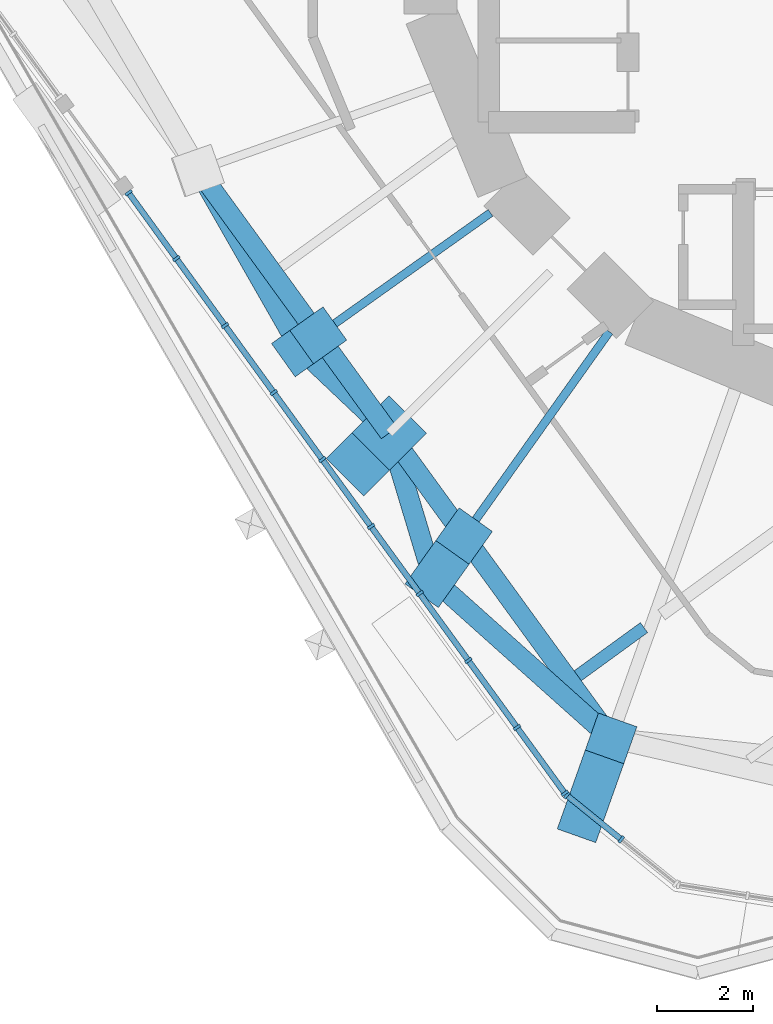
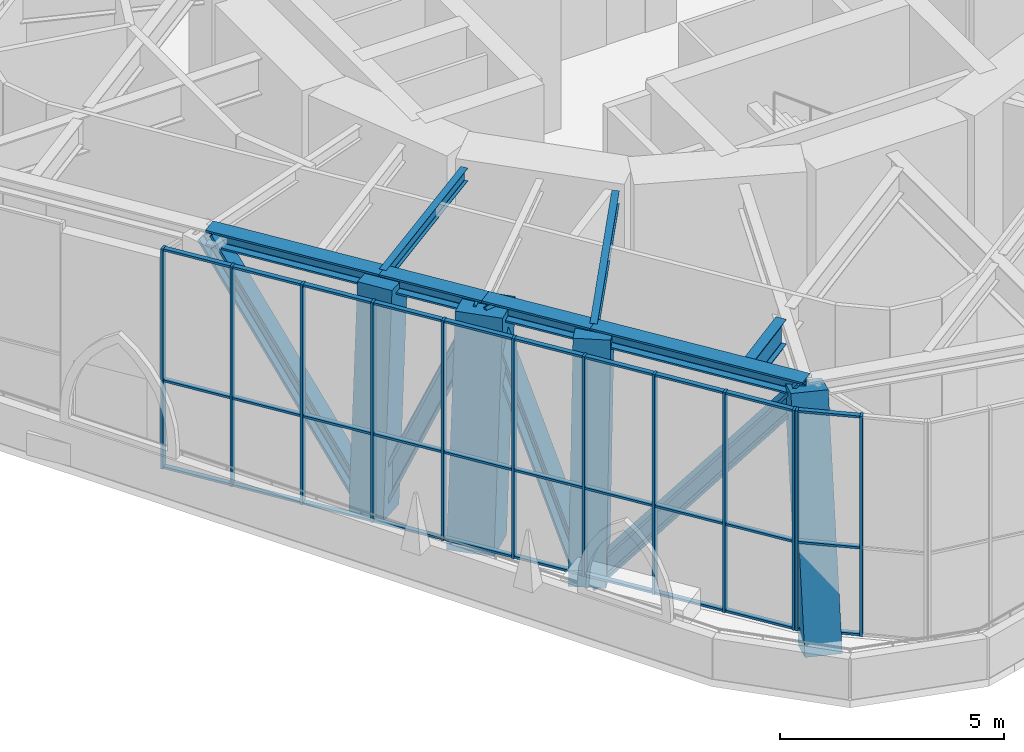
# One storey, part 1 of 18: 54 members, 3 beams, 2 elements without a shape of their own.
"""IFC4 building model written with IfcOpenShell, lengths in metres."""

from ifc_helpers import new_model, si_unit, direction, frame, origin, origin_2d, place, context, subcontext, project, spatial, rectangle, i_section, extrude, material, material_profile, profile_set, type_object, element, aggregate, save


model = new_model("IFC4")

# Units and contexts
model_context = context("Model", 3, precision=1e-05, world=origin(), true_north=direction((0.0, 1.0)))
body_context = subcontext(model_context, "Body", "Model", "MODEL_VIEW")
ifc_project = project(units=[si_unit("LENGTHUNIT", "METRE"), si_unit("AREAUNIT", "SQUARE_METRE"), si_unit("VOLUMEUNIT", "CUBIC_METRE"), si_unit("PLANEANGLEUNIT", "RADIAN"), si_unit("MASSUNIT", "GRAM", prefix="KILO")], contexts=[model_context])

# Site, building, storey
site_placement = place(None, origin())
site = spatial("IfcSite", under=ifc_project, at=site_placement, CompositionType="ELEMENT")
building_placement = place(site_placement, origin())
building = spatial("IfcBuilding", under=site, at=building_placement, Name="Nakasero Lantern House", CompositionType="ELEMENT")
storey_placement = place(building_placement, frame((0.0, 0.0, 257.75)))
storey = spatial("IfcBuildingStorey", under=building, at=storey_placement, Name="L63", CompositionType="ELEMENT", Elevation=257.75)

# Members
ifc_material_1 = material(Name="Steel S355", Category="steel")
ifc_material_profile_1 = material_profile(ifc_material_1, i_section(OverallWidth=0.406982421875, OverallDepth=0.4189453125, WebThickness=0.030517578125, FlangeThickness=0.04931640625, FilletRadius=0.01513671875, at=origin_2d()), Name="UC 356x406x393")
ifc_profile_set_1 = profile_set([ifc_material_profile_1], Name="Steel S355")
member_type_1 = type_object("IfcMemberType", Name="Belt truss chord UC 356x406x393", PredefinedType="CHORD", material=ifc_profile_set_1)
member_1_placement = place(storey_placement, frame((-14.636474609375, -5.2041015625, 5.590576171875), z_axis=(0.587791706687, -0.809012304944, 0.0), x_axis=(0.809012304944, 0.587791706687, 0.0)))
element("IfcMember", 1, at=member_1_placement, inside=storey, type_object=member_type_1, Name="Belt truss top chord T6 B7-C16T", PredefinedType="CHORD", context=body_context, shape_type="SweptSolid", body=[
    extrude(i_section(OverallWidth=0.406982421875, OverallDepth=0.4189453125, WebThickness=0.030517578125, FlangeThickness=0.04931640625, FilletRadius=0.01513671875, at=origin_2d()), origin(), (0.0, 0.0, 1.0), 4.2412109375),
])
member_2_placement = place(storey_placement, frame((-12.1435546875, -8.63525390625, 5.590576171875), z_axis=(0.58778439593, -0.809017616558, 0.0), x_axis=(0.809017616558, 0.58778439593, 0.0)))
element("IfcMember", 2, at=member_2_placement, inside=storey, type_object=member_type_1, Name="Belt truss top chord T6 B7-C17T", PredefinedType="CHORD", context=body_context, shape_type="SweptSolid", body=[
    extrude(i_section(OverallWidth=0.406982421875, OverallDepth=0.4189453125, WebThickness=0.030517578125, FlangeThickness=0.04931640625, FilletRadius=0.01513671875, at=origin_2d()), origin(), (0.0, 0.0, 1.0), 2.51171875),
])
member_3_placement = place(storey_placement, frame((-10.667236328125, -10.667236328125, 5.590576171875), z_axis=(0.587782635143, -0.809018895839, 0.0), x_axis=(0.809018895839, 0.587782635143, 0.0)))
element("IfcMember", 3, at=member_3_placement, inside=storey, type_object=member_type_1, Name="Belt truss top chord T6 B7-C18T", PredefinedType="CHORD", context=body_context, shape_type="SweptSolid", body=[
    extrude(i_section(OverallWidth=0.406982421875, OverallDepth=0.4189453125, WebThickness=0.030517578125, FlangeThickness=0.04931640625, FilletRadius=0.01513671875, at=origin_2d()), origin(), (0.0, 0.0, 1.0), 2.649658203125),
])
member_4_placement = place(storey_placement, frame((-9.10986328125, -12.810791015625, 5.590576171875), z_axis=(0.587806144414, -0.809001814948, 0.0), x_axis=(0.809001814948, 0.587806144414, 0.0)))
element("IfcMember", 4, at=member_4_placement, inside=storey, type_object=member_type_1, Name="Belt truss top chord T6 B7-C19T", PredefinedType="CHORD", context=body_context, shape_type="SweptSolid", body=[
    extrude(i_section(OverallWidth=0.406982421875, OverallDepth=0.4189453125, WebThickness=0.030517578125, FlangeThickness=0.04931640625, FilletRadius=0.01513671875, at=origin_2d()), origin(), (0.0, 0.0, 1.0), 5.202880859375),
])
ifc_material_2 = material(Name="Steel S355", Category="steel")
ifc_material_profile_2 = material_profile(ifc_material_2, i_section(OverallWidth=0.41845703125, OverallDepth=0.45556640625, WebThickness=0.0419921875, FlangeThickness=0.0673828125, FilletRadius=0.01513671875, at=origin_2d()), Name="UC 356x406x551")
ifc_profile_set_2 = profile_set([ifc_material_profile_2], Name="Steel S355")
member_type_2 = type_object("IfcMemberType", Name="Belt truss diagonal UC 356x406x551", PredefinedType="BRACE", material=ifc_profile_set_2)
member_5_placement = place(storey_placement, frame((-14.636474609375, -5.2041015625, 5.590576171875), z_axis=(0.286937193585, -0.503052316846, -0.815233349081), x_axis=(0.868630609336, 0.495460255243, 0.0)))
element("IfcMember", 5, at=member_5_placement, inside=storey, type_object=member_type_2, Name="Belt truss diagonal T6-16", PredefinedType="BRACE", context=body_context, shape_type="SweptSolid", body=[
    extrude(i_section(OverallWidth=0.41845703125, OverallDepth=0.45556640625, WebThickness=0.0419921875, FlangeThickness=0.0673828125, FilletRadius=0.01513671875, at=origin_2d()), origin(), (0.0, 0.0, 1.0), 7.35986328125),
])
member_6_placement = place(storey_placement, frame((-12.524658203125, -8.906494140625, -0.409423828125), z_axis=(0.284747293422, -0.269926062061, 0.919814600835), x_axis=(0.687966872001, 0.725742091262, 0.0)))
element("IfcMember", 6, at=member_6_placement, inside=storey, type_object=member_type_2, Name="Belt truss diagonal T6-17", PredefinedType="BRACE", context=body_context, shape_type="SweptSolid", body=[
    extrude(i_section(OverallWidth=0.41845703125, OverallDepth=0.45556640625, WebThickness=0.0419921875, FlangeThickness=0.0673828125, FilletRadius=0.01513671875, at=origin_2d()), origin(), (0.0, 0.0, 1.0), 6.52294921875),
])
member_7_placement = place(storey_placement, frame((-10.667236328125, -10.667236328125, 5.590576171875), z_axis=(0.135007261487, -0.448346351729, -0.883605448284), x_axis=(0.95752990218, 0.288333984177, 0.0)))
element("IfcMember", 7, at=member_7_placement, inside=storey, type_object=member_type_2, Name="Belt truss diagonal T6-18", PredefinedType="BRACE", context=body_context, shape_type="SweptSolid", body=[
    extrude(i_section(OverallWidth=0.41845703125, OverallDepth=0.45556640625, WebThickness=0.0419921875, FlangeThickness=0.0673828125, FilletRadius=0.01513671875, at=origin_2d()), origin(), (0.0, 0.0, 1.0), 6.790283203125),
])
member_8_placement = place(storey_placement, frame((-9.75048828125, -13.711669921875, -0.409423828125), z_axis=(0.475057519393, -0.424889739641, 0.770577096997), x_axis=(0.666653920157, 0.745367393129, 0.0)))
element("IfcMember", 8, at=member_8_placement, inside=storey, type_object=member_type_2, Name="Belt truss diagonal T6-19", PredefinedType="BRACE", context=body_context, shape_type="SweptSolid", body=[
    extrude(i_section(OverallWidth=0.41845703125, OverallDepth=0.45556640625, WebThickness=0.0419921875, FlangeThickness=0.0673828125, FilletRadius=0.01513671875, at=origin_2d()), origin(), (0.0, 0.0, 1.0), 7.786376953125),
])

# Beam
ifc_material_3 = material(Name="Steel S355", Category="steel")
ifc_material_profile_3 = material_profile(ifc_material_3, i_section(OverallWidth=0.255859375, OverallDepth=0.69287109375, WebThickness=0.014404296875, FlangeThickness=0.023681640625, FilletRadius=0.01513671875, at=origin_2d()), Name="UB 686x254x170")
ifc_profile_set_3 = profile_set([ifc_material_profile_3], Name="Steel S355")
beam_type_1 = type_object("IfcBeamType", Name="Infill beam UB 686x254x170", PredefinedType="JOIST", material=ifc_profile_set_3)
beam_1_placement = place(storey_placement, frame((-6.74658203125, -15.71728515625, 5.45361328125), z_axis=(0.809002391855, 0.587805350412, 0.0), x_axis=(-0.587805350412, 0.809002391855, 0.0)))
element("IfcBeam", 9, at=beam_1_placement, inside=storey, type_object=beam_type_1, Name="Infill beam L64 04.1", PredefinedType="JOIST", context=body_context, shape_type="SweptSolid", body=[
    extrude(i_section(OverallWidth=0.255859375, OverallDepth=0.69287109375, WebThickness=0.014404296875, FlangeThickness=0.023681640625, FilletRadius=0.01513671875, at=origin_2d()), origin(), (0.0, 0.0, 1.0), 1.7041015625),
])

# Curtain wall, members
ifc_material_4 = material(Name="Aluminium 6063-T6 and glass", Category="aluminium")
curtain_wall_type = type_object("IfcCurtainWallType", Name="Sky lounge glazing CW-3", PredefinedType="USERDEFINED", material=ifc_material_4)
curtain_wall_1_placement = place(storey_placement, origin())
curtain_wall_1 = element("IfcCurtainWall", 10, at=curtain_wall_1_placement, inside=storey, type_object=curtain_wall_type, Name="Curtain wall CW-3 L63", ObjectType="STICK CURTAIN WALL", PredefinedType="USERDEFINED")
ifc_material_5 = material(Name="Aluminium 6063-T6", Category="aluminium")
ifc_material_profile_4 = material_profile(ifc_material_5, rectangle(XDim=0.06005859375, YDim=0.159912109375, at=origin_2d()), Name="CW-3 mullion 60x160")
ifc_profile_set_4 = profile_set([ifc_material_profile_4], Name="Aluminium 6063-T6")
member_type_3 = type_object("IfcMemberType", Name="Mullion CW-3", PredefinedType="MULLION", material=ifc_profile_set_4)
member_9_placement = place(storey_placement, frame((-16.08984375, -5.67041015625, 0.0), z_axis=(0.0, 0.0, 1.0), x_axis=(0.587785252292, -0.809016994375, 0.0)))
member_9 = element("IfcMember", 11, at=member_9_placement, type_object=member_type_3, Name="CW-3 mullion 1", PredefinedType="MULLION", context=body_context, shape_type="SweptSolid", body=[
    extrude(rectangle(XDim=0.06005859375, YDim=0.159912109375, at=origin_2d()), origin(), (0.0, 0.0, 1.0), 6.0),
])
member_10_placement = place(storey_placement, frame((-15.09521484375, -7.039306640625, 0.0), z_axis=(0.0, 0.0, 1.0), x_axis=(0.587785252292, -0.809016994375, 0.0)))
member_10 = element("IfcMember", 12, at=member_10_placement, type_object=member_type_3, Name="CW-3 mullion 2", PredefinedType="MULLION", context=body_context, shape_type="SweptSolid", body=[
    extrude(rectangle(XDim=0.06005859375, YDim=0.159912109375, at=origin_2d()), origin(), (0.0, 0.0, 1.0), 6.0),
])
member_11_placement = place(storey_placement, frame((-14.0830078125, -8.4326171875, 0.0), z_axis=(0.0, 0.0, 1.0), x_axis=(0.587785252292, -0.809016994375, 0.0)))
member_11 = element("IfcMember", 13, at=member_11_placement, type_object=member_type_3, Name="CW-3 mullion 3", PredefinedType="MULLION", context=body_context, shape_type="SweptSolid", body=[
    extrude(rectangle(XDim=0.06005859375, YDim=0.159912109375, at=origin_2d()), origin(), (0.0, 0.0, 1.0), 6.0),
])
member_12_placement = place(storey_placement, frame((-13.07080078125, -9.825927734375, 0.0), z_axis=(0.0, 0.0, 1.0), x_axis=(0.587785252292, -0.809016994375, 0.0)))
member_12 = element("IfcMember", 14, at=member_12_placement, type_object=member_type_3, Name="CW-3 mullion 4", PredefinedType="MULLION", context=body_context, shape_type="SweptSolid", body=[
    extrude(rectangle(XDim=0.06005859375, YDim=0.159912109375, at=origin_2d()), origin(), (0.0, 0.0, 1.0), 6.0),
])
member_13_placement = place(storey_placement, frame((-12.058349609375, -11.21923828125, 0.0), z_axis=(0.0, 0.0, 1.0), x_axis=(0.587785252292, -0.809016994375, 0.0)))
member_13 = element("IfcMember", 15, at=member_13_placement, type_object=member_type_3, Name="CW-3 mullion 5", PredefinedType="MULLION", context=body_context, shape_type="SweptSolid", body=[
    extrude(rectangle(XDim=0.06005859375, YDim=0.159912109375, at=origin_2d()), origin(), (0.0, 0.0, 1.0), 6.0),
])
member_14_placement = place(storey_placement, frame((-11.046142578125, -12.612548828125, 0.0), z_axis=(0.0, 0.0, 1.0), x_axis=(0.587785252292, -0.809016994375, 0.0)))
member_14 = element("IfcMember", 16, at=member_14_placement, type_object=member_type_3, Name="CW-3 mullion 6", PredefinedType="MULLION", context=body_context, shape_type="SweptSolid", body=[
    extrude(rectangle(XDim=0.06005859375, YDim=0.159912109375, at=origin_2d()), origin(), (0.0, 0.0, 1.0), 6.0),
])
member_15_placement = place(storey_placement, frame((-10.03369140625, -14.005859375, 0.0), z_axis=(0.0, 0.0, 1.0), x_axis=(0.587785252292, -0.809016994375, 0.0)))
member_15 = element("IfcMember", 17, at=member_15_placement, type_object=member_type_3, Name="CW-3 mullion 7", PredefinedType="MULLION", context=body_context, shape_type="SweptSolid", body=[
    extrude(rectangle(XDim=0.06005859375, YDim=0.159912109375, at=origin_2d()), origin(), (0.0, 0.0, 1.0), 6.0),
])
member_16_placement = place(storey_placement, frame((-9.021484375, -15.399169921875, 0.0), z_axis=(0.0, 0.0, 1.0), x_axis=(0.587785252292, -0.809016994375, 0.0)))
member_16 = element("IfcMember", 18, at=member_16_placement, type_object=member_type_3, Name="CW-3 mullion 8", PredefinedType="MULLION", context=body_context, shape_type="SweptSolid", body=[
    extrude(rectangle(XDim=0.06005859375, YDim=0.159912109375, at=origin_2d()), origin(), (0.0, 0.0, 1.0), 6.0),
])
member_17_placement = place(storey_placement, frame((-8.00927734375, -16.79248046875, 0.0), z_axis=(0.0, 0.0, 1.0), x_axis=(0.587785252292, -0.809016994375, 0.0)))
member_17 = element("IfcMember", 19, at=member_17_placement, type_object=member_type_3, Name="CW-3 mullion 9", PredefinedType="MULLION", context=body_context, shape_type="SweptSolid", body=[
    extrude(rectangle(XDim=0.06005859375, YDim=0.159912109375, at=origin_2d()), origin(), (0.0, 0.0, 1.0), 6.0),
])
member_18_placement = place(storey_placement, frame((-7.0146484375, -18.16162109375, 0.0), z_axis=(0.0, 0.0, 1.0), x_axis=(0.587785252292, -0.809016994375, 0.0)))
member_18 = element("IfcMember", 20, at=member_18_placement, type_object=member_type_3, Name="CW-3 mullion 10", PredefinedType="MULLION", context=body_context, shape_type="SweptSolid", body=[
    extrude(rectangle(XDim=0.06005859375, YDim=0.159912109375, at=origin_2d()), origin(), (0.0, 0.0, 1.0), 6.0),
])

curtain_wall_2_placement = place(storey_placement, origin())
curtain_wall_2 = element("IfcCurtainWall", 21, at=curtain_wall_2_placement, inside=storey, type_object=curtain_wall_type, Name="Curtain wall CW-3 L63", ObjectType="STICK CURTAIN WALL", PredefinedType="USERDEFINED")
member_19_placement = place(storey_placement, frame((-6.9736328125, -18.204833984375, 0.0), z_axis=(0.0, 0.0, 1.0), x_axis=(0.777145961457, -0.62932039105, 0.0)))
member_19 = element("IfcMember", 22, at=member_19_placement, type_object=member_type_3, Name="CW-3 mullion 1", PredefinedType="MULLION", context=body_context, shape_type="SweptSolid", body=[
    extrude(rectangle(XDim=0.06005859375, YDim=0.159912109375, at=origin_2d()), origin(), (0.0, 0.0, 1.0), 6.0),
])
member_20_placement = place(storey_placement, frame((-5.84033203125, -19.122314453125, 0.0), z_axis=(0.0, 0.0, 1.0), x_axis=(0.777145961457, -0.62932039105, 0.0)))
member_20 = element("IfcMember", 23, at=member_20_placement, type_object=member_type_3, Name="CW-3 mullion 2", PredefinedType="MULLION", context=body_context, shape_type="SweptSolid", body=[
    extrude(rectangle(XDim=0.06005859375, YDim=0.159912109375, at=origin_2d()), origin(), (0.0, 0.0, 1.0), 6.0),
])

# Beams
ifc_material_6 = material(Name="Steel S355", Category="steel")
ifc_material_profile_5 = material_profile(ifc_material_6, i_section(OverallWidth=0.17138671875, OverallDepth=0.35498046875, WebThickness=0.00732421875, FlangeThickness=0.011474609375, FilletRadius=0.01025390625, at=origin_2d()), Name="UB 356x171x51")
ifc_profile_set_5 = profile_set([ifc_material_profile_5], Name="Steel S355")
beam_type_2 = type_object("IfcBeamType", Name="Primary beam UB 356x171x51, span to 6 m", PredefinedType="BEAM", material=ifc_profile_set_5)
beam_2_placement = place(storey_placement, frame((-12.1435546875, -8.63525390625, 5.62255859375), z_axis=(0.814988544116, 0.579477068537, 0.0), x_axis=(-0.579477068537, 0.814988544116, 0.0)))
element("IfcBeam", 24, at=beam_2_placement, inside=storey, type_object=beam_type_2, Name="Primary beam L64 B7-C17T", PredefinedType="BEAM", context=body_context, shape_type="SweptSolid", body=[
    extrude(i_section(OverallWidth=0.17138671875, OverallDepth=0.35498046875, WebThickness=0.00732421875, FlangeThickness=0.011474609375, FilletRadius=0.01025390625, at=origin_2d()), origin(), (0.0, 0.0, 1.0), 4.396484375),
])
beam_3_placement = place(storey_placement, frame((-9.10986328125, -12.810791015625, 5.62255859375), z_axis=(0.579500985986, 0.814971537688, 0.0), x_axis=(-0.814971537688, 0.579500985986, 0.0)))
element("IfcBeam", 25, at=beam_3_placement, inside=storey, type_object=beam_type_2, Name="Primary beam L64 B7-C19T", PredefinedType="BEAM", context=body_context, shape_type="SweptSolid", body=[
    extrude(i_section(OverallWidth=0.17138671875, OverallDepth=0.35498046875, WebThickness=0.00732421875, FlangeThickness=0.011474609375, FilletRadius=0.01025390625, at=origin_2d()), origin(), (0.0, 0.0, 1.0), 5.215087890625),
])

# Members
ifc_material_7 = material(Name="Concrete C45/55", Category="concrete")
ifc_material_profile_6 = material_profile(ifc_material_7, rectangle(XDim=1.10009765625, YDim=1.10009765625, at=origin_2d()), Name="RC 1100x1100")
ifc_profile_set_6 = profile_set([ifc_material_profile_6], Name="Concrete C45/55")
member_type_4 = type_object("IfcMemberType", Name="Raking column RC 1100x1100 C45/55", PredefinedType="STRUT", material=ifc_profile_set_6)
member_21_placement = place(storey_placement, frame((-11.200439453125, -11.200439453125, -0.409423828125), z_axis=(0.088173575657, 0.088173575657, 0.992194961241), x_axis=(-0.707106781187, 0.707106781187, 0.0)))
element("IfcMember", 26, at=member_21_placement, inside=storey, type_object=member_type_4, Name="Raking column B7-C18T L63", PredefinedType="STRUT", context=body_context, shape_type="SweptSolid", body=[
    extrude(rectangle(XDim=1.10009765625, YDim=1.10009765625, at=origin_2d()), origin(), (0.0, 0.0, 1.0), 6.047119140625),
])
ifc_material_8 = material(Name="Concrete C45/55", Category="concrete")
ifc_material_profile_7 = material_profile(ifc_material_8, rectangle(XDim=0.85009765625, YDim=0.85009765625, at=origin_2d()), Name="RC 850x850")
ifc_profile_set_7 = profile_set([ifc_material_profile_7], Name="Concrete C45/55")
member_type_5 = type_object("IfcMemberType", Name="Raking column RC 850x850 C45/55", PredefinedType="STRUT", material=ifc_profile_set_7)
member_22_placement = place(storey_placement, frame((-12.524658203125, -8.906494140625, -0.409423828125), z_axis=(0.063325096405, 0.045069943694, 0.996974740072), x_axis=(-0.579854967886, 0.814719716355, 0.0)))
element("IfcMember", 27, at=member_22_placement, inside=storey, type_object=member_type_5, Name="Raking column B7-C17T L63", PredefinedType="STRUT", context=body_context, shape_type="SweptSolid", body=[
    extrude(rectangle(XDim=0.85009765625, YDim=0.85009765625, at=origin_2d()), origin(), (0.0, 0.0, 1.0), 6.018310546875),
])
member_23_placement = place(storey_placement, frame((-9.75048828125, -13.711669921875, -0.409423828125), z_axis=(0.105003585366, 0.147661291921, 0.983448214157), x_axis=(-0.814955324569, 0.57952378636, 0.0)))
element("IfcMember", 28, at=member_23_placement, inside=storey, type_object=member_type_5, Name="Raking column B7-C19T L63", PredefinedType="STRUT", context=body_context, shape_type="SweptSolid", body=[
    extrude(rectangle(XDim=0.85009765625, YDim=0.85009765625, at=origin_2d()), origin(), (0.0, 0.0, 1.0), 6.10107421875),
])
member_24_placement = place(storey_placement, frame((-6.63525390625, -18.661376953125, -0.409423828125), z_axis=(0.093431562277, 0.262710327558, 0.960340474501), x_axis=(-0.942188145362, 0.335084315865, 0.0)))
element("IfcMember", 29, at=member_24_placement, inside=storey, type_object=member_type_5, Name="Raking column B7-C20T L63", PredefinedType="STRUT", context=body_context, shape_type="SweptSolid", body=[
    extrude(rectangle(XDim=0.85009765625, YDim=0.85009765625, at=origin_2d()), origin(), (0.0, 0.0, 1.0), 6.247802734375),
])

# Member
ifc_material_9 = material(Name="Aluminium 6063-T6", Category="aluminium")
ifc_material_profile_8 = material_profile(ifc_material_9, rectangle(XDim=0.06005859375, YDim=0.1201171875, at=origin_2d()), Name="CW-3 transom 60x120")
ifc_profile_set_8 = profile_set([ifc_material_profile_8], Name="Aluminium 6063-T6")
member_type_6 = type_object("IfcMemberType", Name="Transom CW-3", PredefinedType="USERDEFINED", material=ifc_profile_set_8)
member_25_placement = place(storey_placement, frame((-16.072265625, -5.694580078125, 0.030029296875), z_axis=(0.5877981218, -0.809007643974, 0.0), x_axis=(0.0, 0.0, 1.0)))
member_25 = element("IfcMember", 30, at=member_25_placement, type_object=member_type_6, Name="CW-3 transom 1.1", ObjectType="TRANSOM", PredefinedType="USERDEFINED", context=body_context, shape_type="SweptSolid", body=[
    extrude(rectangle(XDim=0.06005859375, YDim=0.1201171875, at=origin_2d()), origin(), (0.0, 0.0, 1.0), 1.63232421875),
])

member_26_placement = place(storey_placement, frame((-16.072265625, -5.694580078125, 2.39990234375), z_axis=(0.5877981218, -0.809007643974, 0.0), x_axis=(0.0, 0.0, 1.0)))
member_26 = element("IfcMember", 31, at=member_26_placement, type_object=member_type_6, Name="CW-3 transom 1.2", ObjectType="TRANSOM", PredefinedType="USERDEFINED", context=body_context, shape_type="SweptSolid", body=[
    extrude(rectangle(XDim=0.06005859375, YDim=0.1201171875, at=origin_2d()), origin(), (0.0, 0.0, 1.0), 1.63232421875),
])

member_27_placement = place(storey_placement, frame((-16.072265625, -5.694580078125, 5.969970703125), z_axis=(0.5877981218, -0.809007643974, 0.0), x_axis=(0.0, 0.0, 1.0)))
member_27 = element("IfcMember", 32, at=member_27_placement, type_object=member_type_6, Name="CW-3 transom 1.3", ObjectType="TRANSOM", PredefinedType="USERDEFINED", context=body_context, shape_type="SweptSolid", body=[
    extrude(rectangle(XDim=0.06005859375, YDim=0.1201171875, at=origin_2d()), origin(), (0.0, 0.0, 1.0), 1.63232421875),
])

member_28_placement = place(storey_placement, frame((-15.07763671875, -7.063720703125, 0.030029296875), z_axis=(0.58780483972, -0.809002762913, 0.0), x_axis=(0.0, 0.0, 1.0)))
member_28 = element("IfcMember", 33, at=member_28_placement, type_object=member_type_6, Name="CW-3 transom 2.1", ObjectType="TRANSOM", PredefinedType="USERDEFINED", context=body_context, shape_type="SweptSolid", body=[
    extrude(rectangle(XDim=0.06005859375, YDim=0.1201171875, at=origin_2d()), origin(), (0.0, 0.0, 1.0), 1.662109375),
])

member_29_placement = place(storey_placement, frame((-15.07763671875, -7.063720703125, 2.39990234375), z_axis=(0.58780483972, -0.809002762913, 0.0), x_axis=(0.0, 0.0, 1.0)))
member_29 = element("IfcMember", 34, at=member_29_placement, type_object=member_type_6, Name="CW-3 transom 2.2", ObjectType="TRANSOM", PredefinedType="USERDEFINED", context=body_context, shape_type="SweptSolid", body=[
    extrude(rectangle(XDim=0.06005859375, YDim=0.1201171875, at=origin_2d()), origin(), (0.0, 0.0, 1.0), 1.662109375),
])

member_30_placement = place(storey_placement, frame((-15.07763671875, -7.063720703125, 5.969970703125), z_axis=(0.58780483972, -0.809002762913, 0.0), x_axis=(0.0, 0.0, 1.0)))
member_30 = element("IfcMember", 35, at=member_30_placement, type_object=member_type_6, Name="CW-3 transom 2.3", ObjectType="TRANSOM", PredefinedType="USERDEFINED", context=body_context, shape_type="SweptSolid", body=[
    extrude(rectangle(XDim=0.06005859375, YDim=0.1201171875, at=origin_2d()), origin(), (0.0, 0.0, 1.0), 1.662109375),
])

member_31_placement = place(storey_placement, frame((-14.0654296875, -8.45703125, 0.030029296875), z_axis=(0.58780483972, -0.809002762913, 0.0), x_axis=(0.0, 0.0, 1.0)))
member_31 = element("IfcMember", 36, at=member_31_placement, type_object=member_type_6, Name="CW-3 transom 3.1", ObjectType="TRANSOM", PredefinedType="USERDEFINED", context=body_context, shape_type="SweptSolid", body=[
    extrude(rectangle(XDim=0.06005859375, YDim=0.1201171875, at=origin_2d()), origin(), (0.0, 0.0, 1.0), 1.662109375),
])

member_32_placement = place(storey_placement, frame((-14.0654296875, -8.45703125, 2.39990234375), z_axis=(0.58780483972, -0.809002762913, 0.0), x_axis=(0.0, 0.0, 1.0)))
member_32 = element("IfcMember", 37, at=member_32_placement, type_object=member_type_6, Name="CW-3 transom 3.2", ObjectType="TRANSOM", PredefinedType="USERDEFINED", context=body_context, shape_type="SweptSolid", body=[
    extrude(rectangle(XDim=0.06005859375, YDim=0.1201171875, at=origin_2d()), origin(), (0.0, 0.0, 1.0), 1.662109375),
])

member_33_placement = place(storey_placement, frame((-14.0654296875, -8.45703125, 5.969970703125), z_axis=(0.58780483972, -0.809002762913, 0.0), x_axis=(0.0, 0.0, 1.0)))
member_33 = element("IfcMember", 38, at=member_33_placement, type_object=member_type_6, Name="CW-3 transom 3.3", ObjectType="TRANSOM", PredefinedType="USERDEFINED", context=body_context, shape_type="SweptSolid", body=[
    extrude(rectangle(XDim=0.06005859375, YDim=0.1201171875, at=origin_2d()), origin(), (0.0, 0.0, 1.0), 1.662109375),
])

member_34_placement = place(storey_placement, frame((-13.052978515625, -9.850341796875, 0.030029296875), z_axis=(0.58780483972, -0.809002762913, 0.0), x_axis=(0.0, 0.0, 1.0)))
member_34 = element("IfcMember", 39, at=member_34_placement, type_object=member_type_6, Name="CW-3 transom 4.1", ObjectType="TRANSOM", PredefinedType="USERDEFINED", context=body_context, shape_type="SweptSolid", body=[
    extrude(rectangle(XDim=0.06005859375, YDim=0.1201171875, at=origin_2d()), origin(), (0.0, 0.0, 1.0), 1.662109375),
])

member_35_placement = place(storey_placement, frame((-13.052978515625, -9.850341796875, 2.39990234375), z_axis=(0.58780483972, -0.809002762913, 0.0), x_axis=(0.0, 0.0, 1.0)))
member_35 = element("IfcMember", 40, at=member_35_placement, type_object=member_type_6, Name="CW-3 transom 4.2", ObjectType="TRANSOM", PredefinedType="USERDEFINED", context=body_context, shape_type="SweptSolid", body=[
    extrude(rectangle(XDim=0.06005859375, YDim=0.1201171875, at=origin_2d()), origin(), (0.0, 0.0, 1.0), 1.662109375),
])

member_36_placement = place(storey_placement, frame((-13.052978515625, -9.850341796875, 5.969970703125), z_axis=(0.58780483972, -0.809002762913, 0.0), x_axis=(0.0, 0.0, 1.0)))
member_36 = element("IfcMember", 41, at=member_36_placement, type_object=member_type_6, Name="CW-3 transom 4.3", ObjectType="TRANSOM", PredefinedType="USERDEFINED", context=body_context, shape_type="SweptSolid", body=[
    extrude(rectangle(XDim=0.06005859375, YDim=0.1201171875, at=origin_2d()), origin(), (0.0, 0.0, 1.0), 1.662109375),
])

member_37_placement = place(storey_placement, frame((-12.040771484375, -11.24365234375, 0.030029296875), z_axis=(0.58780483972, -0.809002762913, 0.0), x_axis=(0.0, 0.0, 1.0)))
member_37 = element("IfcMember", 42, at=member_37_placement, type_object=member_type_6, Name="CW-3 transom 5.1", ObjectType="TRANSOM", PredefinedType="USERDEFINED", context=body_context, shape_type="SweptSolid", body=[
    extrude(rectangle(XDim=0.06005859375, YDim=0.1201171875, at=origin_2d()), origin(), (0.0, 0.0, 1.0), 1.662109375),
])

member_38_placement = place(storey_placement, frame((-12.040771484375, -11.24365234375, 2.39990234375), z_axis=(0.58780483972, -0.809002762913, 0.0), x_axis=(0.0, 0.0, 1.0)))
member_38 = element("IfcMember", 43, at=member_38_placement, type_object=member_type_6, Name="CW-3 transom 5.2", ObjectType="TRANSOM", PredefinedType="USERDEFINED", context=body_context, shape_type="SweptSolid", body=[
    extrude(rectangle(XDim=0.06005859375, YDim=0.1201171875, at=origin_2d()), origin(), (0.0, 0.0, 1.0), 1.662109375),
])

member_39_placement = place(storey_placement, frame((-12.040771484375, -11.24365234375, 5.969970703125), z_axis=(0.58780483972, -0.809002762913, 0.0), x_axis=(0.0, 0.0, 1.0)))
member_39 = element("IfcMember", 44, at=member_39_placement, type_object=member_type_6, Name="CW-3 transom 5.3", ObjectType="TRANSOM", PredefinedType="USERDEFINED", context=body_context, shape_type="SweptSolid", body=[
    extrude(rectangle(XDim=0.06005859375, YDim=0.1201171875, at=origin_2d()), origin(), (0.0, 0.0, 1.0), 1.662109375),
])

member_40_placement = place(storey_placement, frame((-11.028564453125, -12.636962890625, 0.030029296875), z_axis=(0.58780483972, -0.809002762913, 0.0), x_axis=(0.0, 0.0, 1.0)))
member_40 = element("IfcMember", 45, at=member_40_placement, type_object=member_type_6, Name="CW-3 transom 6.1", ObjectType="TRANSOM", PredefinedType="USERDEFINED", context=body_context, shape_type="SweptSolid", body=[
    extrude(rectangle(XDim=0.06005859375, YDim=0.1201171875, at=origin_2d()), origin(), (0.0, 0.0, 1.0), 1.662109375),
])

member_41_placement = place(storey_placement, frame((-11.028564453125, -12.636962890625, 2.39990234375), z_axis=(0.58780483972, -0.809002762913, 0.0), x_axis=(0.0, 0.0, 1.0)))
member_41 = element("IfcMember", 46, at=member_41_placement, type_object=member_type_6, Name="CW-3 transom 6.2", ObjectType="TRANSOM", PredefinedType="USERDEFINED", context=body_context, shape_type="SweptSolid", body=[
    extrude(rectangle(XDim=0.06005859375, YDim=0.1201171875, at=origin_2d()), origin(), (0.0, 0.0, 1.0), 1.662109375),
])

member_42_placement = place(storey_placement, frame((-11.028564453125, -12.636962890625, 5.969970703125), z_axis=(0.58780483972, -0.809002762913, 0.0), x_axis=(0.0, 0.0, 1.0)))
member_42 = element("IfcMember", 47, at=member_42_placement, type_object=member_type_6, Name="CW-3 transom 6.3", ObjectType="TRANSOM", PredefinedType="USERDEFINED", context=body_context, shape_type="SweptSolid", body=[
    extrude(rectangle(XDim=0.06005859375, YDim=0.1201171875, at=origin_2d()), origin(), (0.0, 0.0, 1.0), 1.662109375),
])

member_43_placement = place(storey_placement, frame((-10.01611328125, -14.0302734375, 0.030029296875), z_axis=(0.58780483972, -0.809002762913, 0.0), x_axis=(0.0, 0.0, 1.0)))
member_43 = element("IfcMember", 48, at=member_43_placement, type_object=member_type_6, Name="CW-3 transom 7.1", ObjectType="TRANSOM", PredefinedType="USERDEFINED", context=body_context, shape_type="SweptSolid", body=[
    extrude(rectangle(XDim=0.06005859375, YDim=0.1201171875, at=origin_2d()), origin(), (0.0, 0.0, 1.0), 1.662109375),
])

member_44_placement = place(storey_placement, frame((-10.01611328125, -14.0302734375, 2.39990234375), z_axis=(0.58780483972, -0.809002762913, 0.0), x_axis=(0.0, 0.0, 1.0)))
member_44 = element("IfcMember", 49, at=member_44_placement, type_object=member_type_6, Name="CW-3 transom 7.2", ObjectType="TRANSOM", PredefinedType="USERDEFINED", context=body_context, shape_type="SweptSolid", body=[
    extrude(rectangle(XDim=0.06005859375, YDim=0.1201171875, at=origin_2d()), origin(), (0.0, 0.0, 1.0), 1.662109375),
])

member_45_placement = place(storey_placement, frame((-10.01611328125, -14.0302734375, 5.969970703125), z_axis=(0.58780483972, -0.809002762913, 0.0), x_axis=(0.0, 0.0, 1.0)))
member_45 = element("IfcMember", 50, at=member_45_placement, type_object=member_type_6, Name="CW-3 transom 7.3", ObjectType="TRANSOM", PredefinedType="USERDEFINED", context=body_context, shape_type="SweptSolid", body=[
    extrude(rectangle(XDim=0.06005859375, YDim=0.1201171875, at=origin_2d()), origin(), (0.0, 0.0, 1.0), 1.662109375),
])

member_46_placement = place(storey_placement, frame((-9.00390625, -15.423583984375, 0.030029296875), z_axis=(0.58780483972, -0.809002762913, 0.0), x_axis=(0.0, 0.0, 1.0)))
member_46 = element("IfcMember", 51, at=member_46_placement, type_object=member_type_6, Name="CW-3 transom 8.1", ObjectType="TRANSOM", PredefinedType="USERDEFINED", context=body_context, shape_type="SweptSolid", body=[
    extrude(rectangle(XDim=0.06005859375, YDim=0.1201171875, at=origin_2d()), origin(), (0.0, 0.0, 1.0), 1.662109375),
])

member_47_placement = place(storey_placement, frame((-9.00390625, -15.423583984375, 2.39990234375), z_axis=(0.58780483972, -0.809002762913, 0.0), x_axis=(0.0, 0.0, 1.0)))
member_47 = element("IfcMember", 52, at=member_47_placement, type_object=member_type_6, Name="CW-3 transom 8.2", ObjectType="TRANSOM", PredefinedType="USERDEFINED", context=body_context, shape_type="SweptSolid", body=[
    extrude(rectangle(XDim=0.06005859375, YDim=0.1201171875, at=origin_2d()), origin(), (0.0, 0.0, 1.0), 1.662109375),
])

member_48_placement = place(storey_placement, frame((-9.00390625, -15.423583984375, 5.969970703125), z_axis=(0.58780483972, -0.809002762913, 0.0), x_axis=(0.0, 0.0, 1.0)))
member_48 = element("IfcMember", 53, at=member_48_placement, type_object=member_type_6, Name="CW-3 transom 8.3", ObjectType="TRANSOM", PredefinedType="USERDEFINED", context=body_context, shape_type="SweptSolid", body=[
    extrude(rectangle(XDim=0.06005859375, YDim=0.1201171875, at=origin_2d()), origin(), (0.0, 0.0, 1.0), 1.662109375),
])

member_49_placement = place(storey_placement, frame((-7.991455078125, -16.81689453125, 0.030029296875), z_axis=(0.587771349354, -0.809027095268, 0.0), x_axis=(0.0, 0.0, 1.0)))
member_49 = element("IfcMember", 54, at=member_49_placement, type_object=member_type_6, Name="CW-3 transom 9.1", ObjectType="TRANSOM", PredefinedType="USERDEFINED", context=body_context, shape_type="SweptSolid", body=[
    extrude(rectangle(XDim=0.06005859375, YDim=0.1201171875, at=origin_2d()), origin(), (0.0, 0.0, 1.0), 1.632080078125),
])

member_50_placement = place(storey_placement, frame((-7.991455078125, -16.81689453125, 2.39990234375), z_axis=(0.587771349354, -0.809027095268, 0.0), x_axis=(0.0, 0.0, 1.0)))
member_50 = element("IfcMember", 55, at=member_50_placement, type_object=member_type_6, Name="CW-3 transom 9.2", ObjectType="TRANSOM", PredefinedType="USERDEFINED", context=body_context, shape_type="SweptSolid", body=[
    extrude(rectangle(XDim=0.06005859375, YDim=0.1201171875, at=origin_2d()), origin(), (0.0, 0.0, 1.0), 1.632080078125),
])

member_51_placement = place(storey_placement, frame((-7.991455078125, -16.81689453125, 5.969970703125), z_axis=(0.587771349354, -0.809027095268, 0.0), x_axis=(0.0, 0.0, 1.0)))
member_51 = element("IfcMember", 56, at=member_51_placement, type_object=member_type_6, Name="CW-3 transom 9.3", ObjectType="TRANSOM", PredefinedType="USERDEFINED", context=body_context, shape_type="SweptSolid", body=[
    extrude(rectangle(XDim=0.06005859375, YDim=0.1201171875, at=origin_2d()), origin(), (0.0, 0.0, 1.0), 1.632080078125),
])

aggregate(curtain_wall_1, [member_9, member_10, member_11, member_12, member_13, member_14, member_15, member_16, member_17, member_18, member_25, member_26, member_27, member_28, member_29, member_30, member_31, member_32, member_33, member_34, member_35, member_36, member_37, member_38, member_39, member_40, member_41, member_42, member_43, member_44, member_45, member_46, member_47, member_48, member_49, member_50, member_51])

member_52_placement = place(storey_placement, frame((-6.9501953125, -18.2236328125, 0.030029296875), z_axis=(0.777106582707, -0.629369016646, 0.0), x_axis=(0.0, 0.0, 1.0)))
member_52 = element("IfcMember", 57, at=member_52_placement, type_object=member_type_6, Name="CW-3 transom 1.1", ObjectType="TRANSOM", PredefinedType="USERDEFINED", context=body_context, shape_type="SweptSolid", body=[
    extrude(rectangle(XDim=0.06005859375, YDim=0.1201171875, at=origin_2d()), origin(), (0.0, 0.0, 1.0), 1.39794921875),
])

member_53_placement = place(storey_placement, frame((-6.9501953125, -18.2236328125, 2.39990234375), z_axis=(0.777106582707, -0.629369016646, 0.0), x_axis=(0.0, 0.0, 1.0)))
member_53 = element("IfcMember", 58, at=member_53_placement, type_object=member_type_6, Name="CW-3 transom 1.2", ObjectType="TRANSOM", PredefinedType="USERDEFINED", context=body_context, shape_type="SweptSolid", body=[
    extrude(rectangle(XDim=0.06005859375, YDim=0.1201171875, at=origin_2d()), origin(), (0.0, 0.0, 1.0), 1.39794921875),
])

member_54_placement = place(storey_placement, frame((-6.9501953125, -18.2236328125, 5.969970703125), z_axis=(0.777106582707, -0.629369016646, 0.0), x_axis=(0.0, 0.0, 1.0)))
member_54 = element("IfcMember", 59, at=member_54_placement, type_object=member_type_6, Name="CW-3 transom 1.3", ObjectType="TRANSOM", PredefinedType="USERDEFINED", context=body_context, shape_type="SweptSolid", body=[
    extrude(rectangle(XDim=0.06005859375, YDim=0.1201171875, at=origin_2d()), origin(), (0.0, 0.0, 1.0), 1.39794921875),
])

aggregate(curtain_wall_2, [member_19, member_20, member_52, member_53, member_54])

save(model, "model.ifc")
